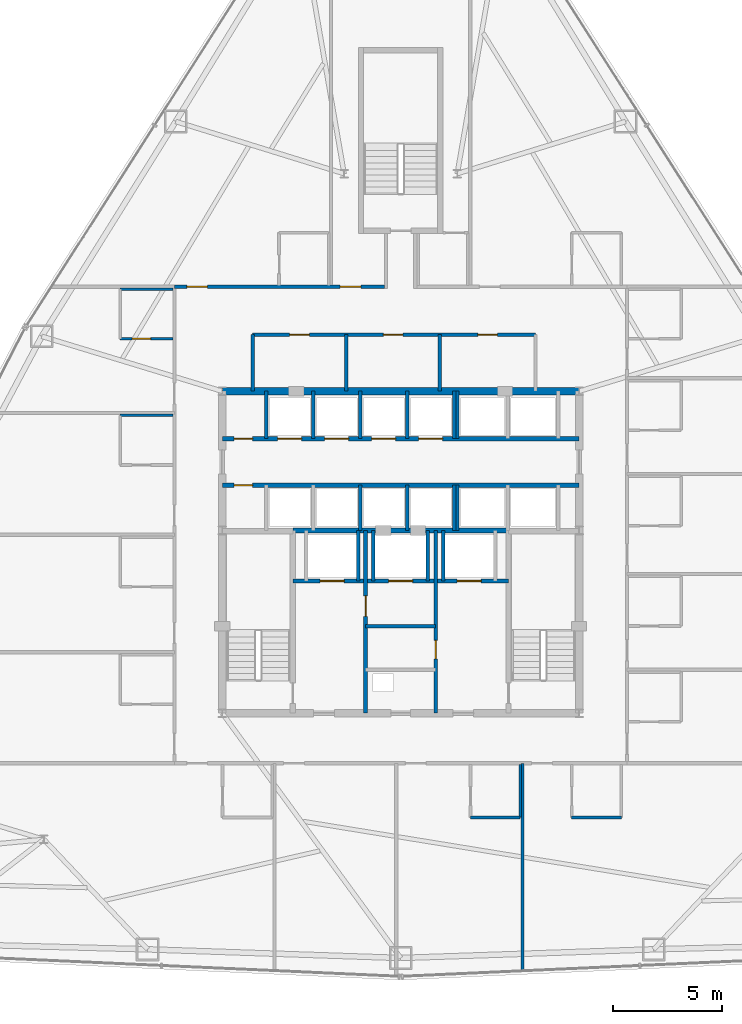
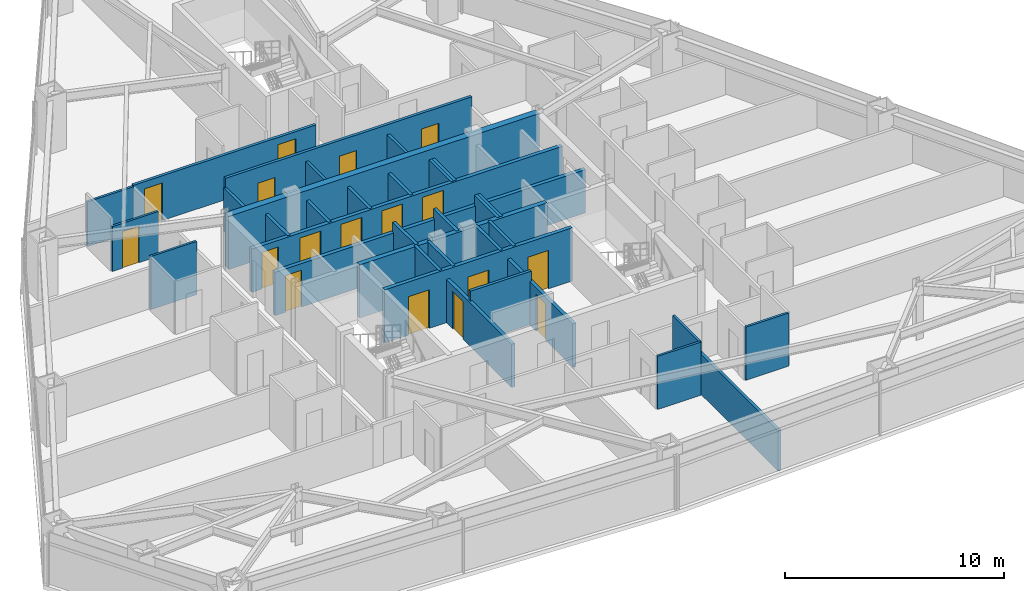
# One storey, part 10 of 13: 34 walls, 17 doors, 17 openings.
"""IFC4 building model written with IfcOpenShell, lengths in metres."""

from ifc_helpers import new_model, si_unit, direction, frame, frame_2d, origin, place, context, subcontext, project, spatial, rectangle, extrude, material, layer, layer_set, type_object, element, fill, save


model = new_model("IFC4")

# Units and contexts
model_context = context("Model", 3, precision=1e-05, world=origin(), true_north=direction((0.0, 1.0)))
body_context = subcontext(model_context, "Body", "Model", "MODEL_VIEW")
ifc_project = project(units=[si_unit("LENGTHUNIT", "METRE"), si_unit("AREAUNIT", "SQUARE_METRE"), si_unit("VOLUMEUNIT", "CUBIC_METRE"), si_unit("PLANEANGLEUNIT", "RADIAN"), si_unit("MASSUNIT", "GRAM", prefix="KILO")], contexts=[model_context])

# Site, building, storey
site_placement = place(None, origin())
site = spatial("IfcSite", under=ifc_project, at=site_placement, CompositionType="ELEMENT")
building_placement = place(site_placement, origin())
building = spatial("IfcBuilding", under=site, at=building_placement, Name="Varakhsha Concourse Tower", CompositionType="ELEMENT")
storey_placement = place(building_placement, frame((0.0, 0.0, 83.0)))
storey = spatial("IfcBuildingStorey", under=building, at=storey_placement, Name="L23", CompositionType="ELEMENT", Elevation=83.0)

# Wall
ifc_material_1 = material(Name="Concrete fc 65 MPa", Category="concrete")
ifc_layer_1 = layer(ifc_material_1, 0.35009765625, Name="WL-CORE-350")
ifc_layer_set_1 = layer_set([ifc_layer_1], Name="Concrete fc 65 MPa")
wall_type_1 = type_object("IfcWallType", Name="WL-CORE-350", PredefinedType="SHEAR", material=ifc_layer_set_1)
wall_1_placement = place(storey_placement, frame((31.800048828125, 31.199951171875, 0.0), z_axis=(0.0, 0.0, 1.0), x_axis=(1.0, 0.0, 0.0)))
element("IfcWall", 1, at=wall_1_placement, inside=storey, type_object=wall_type_1, Name="L23 Wall CWALL-N-L23", PredefinedType="SHEAR", context=body_context, shape_type="SweptSolid", body=[
    extrude(rectangle(XDim=16.39990234375, YDim=0.35009765625, at=frame_2d((8.199951171875, 0.0))), origin(), (0.0, 0.0, 1.0), 2.969970703125),
])

# Wall, opening, door
ifc_material_2 = material(Name="Fire-Rated Type X Gypsum Partition Assembly", Category="gypsum")
ifc_layer_2 = layer(ifc_material_2, 0.179931640625, Name="WL-FFLOB-180")
ifc_layer_set_2 = layer_set([ifc_layer_2], Name="Fire-Rated Type X Gypsum Partition Assembly")
wall_type_2 = type_object("IfcWallType", Name="WL-FFLOB-180", PredefinedType="PARTITIONING", material=ifc_layer_set_2)
wall_2_placement = place(storey_placement, frame((38.389892578125, 16.39990234375, 0.0), z_axis=(0.0, 0.0, 1.0), x_axis=(0.0, 1.0, 0.0)))
wall_2 = element("IfcWall", 2, at=wall_2_placement, inside=storey, type_object=wall_type_2, Name="L23 Wall FFW-1E-L23", PredefinedType="PARTITIONING", context=body_context, shape_type="SweptSolid", body=[
    extrude(rectangle(XDim=8.400146484375, YDim=0.179931640625, at=frame_2d((4.2001953125, 0.0))), origin(), (0.0, 0.0, 1.0), 2.4208984375),
])
opening_1_placement = place(wall_2_placement, frame((4.449951171875, 0.0, 0.0)))
opening_1 = element("IfcOpeningElement", 3, at=opening_1_placement, cuts=wall_2, Name="Opening DF-05", PredefinedType="OPENING", context=body_context, shape_type="SweptSolid", body=[
    extrude(rectangle(XDim=0.949951171875, YDim=2.10009765625, at=frame_2d((0.47509765625, 1.050048828125))), frame((0.0, 0.099853515625, 0.0), z_axis=(0.0, -1.0, 0.0), x_axis=(1.0, 0.0, 0.0)), (0.0, 0.0, 1.0), 0.199951171875),
])
ifc_material_3 = material(Name="Hollow Galvanised Steel Fire Door Assembly", Category="steel")
door_type_1 = type_object("IfcDoorType", Name="DR-FD60-950", OperationType="NOTDEFINED", PredefinedType="DOOR", material=ifc_material_3)
door_1_placement = place(opening_1_placement, origin())
door_1 = element("IfcDoor", 4, at=door_1_placement, inside=storey, type_object=door_type_1, Name="L23 Service Vestibule Door", OperationType="SINGLE_SWING_RIGHT", OverallHeight=2.10009765625, OverallWidth=0.949951171875, PredefinedType="DOOR", context=body_context, shape_type="SweptSolid", body=[
    extrude(rectangle(XDim=0.949951171875, YDim=2.10009765625, at=frame_2d((0.47509765625, 1.050048828125))), frame((0.0, 0.02490234375, 0.0), z_axis=(0.0, -1.0, 0.0), x_axis=(1.0, 0.0, 0.0)), (0.0, 0.0, 1.0), 0.050048828125),
])
fill(opening_1, door_1)

wall_3_placement = place(storey_placement, frame((41.610107421875, 16.39990234375, 0.0), z_axis=(0.0, 0.0, 1.0), x_axis=(0.0, 1.0, 0.0)))
wall_3 = element("IfcWall", 5, at=wall_3_placement, inside=storey, type_object=wall_type_2, Name="L23 Wall FFW-2W-L23", PredefinedType="PARTITIONING", context=body_context, shape_type="SweptSolid", body=[
    extrude(rectangle(XDim=8.400146484375, YDim=0.179931640625, at=frame_2d((4.2001953125, 0.0))), origin(), (0.0, 0.0, 1.0), 2.4208984375),
])
opening_2_placement = place(wall_3_placement, frame((2.5, 0.0, 0.0)))
opening_2 = element("IfcOpeningElement", 6, at=opening_2_placement, cuts=wall_3, Name="Opening DF-07", PredefinedType="OPENING", context=body_context, shape_type="SweptSolid", body=[
    extrude(rectangle(XDim=0.85009765625, YDim=2.050048828125, at=frame_2d((0.425048828125, 1.02490234375))), frame((0.0, 0.099853515625, 0.0), z_axis=(0.0, -1.0, 0.0), x_axis=(1.0, 0.0, 0.0)), (0.0, 0.0, 1.0), 0.199951171875),
])
door_type_2 = type_object("IfcDoorType", Name="DR-FD60-850", OperationType="NOTDEFINED", PredefinedType="DOOR", material=ifc_material_3)
door_2_placement = place(opening_2_placement, origin())
door_2 = element("IfcDoor", 7, at=door_2_placement, inside=storey, type_object=door_type_2, Name="L23 Telecoms Node Door", OperationType="SINGLE_SWING_LEFT", OverallHeight=2.050048828125, OverallWidth=0.85009765625, PredefinedType="DOOR", context=body_context, shape_type="SweptSolid", body=[
    extrude(rectangle(XDim=0.85009765625, YDim=2.050048828125, at=frame_2d((0.425048828125, 1.02490234375))), frame((0.0, 0.02490234375, 0.0), z_axis=(0.0, -1.0, 0.0), x_axis=(1.0, 0.0, 0.0)), (0.0, 0.0, 1.0), 0.050048828125),
])
fill(opening_2, door_2)

# Walls
ifc_material_4 = material(Name="Acoustic Gypsum Board Partition Assembly", Category="gypsum")
ifc_layer_3 = layer(ifc_material_4, 0.1201171875, Name="WL-PART-120")
ifc_layer_set_3 = layer_set([ifc_layer_3], Name="Acoustic Gypsum Board Partition Assembly")
wall_type_3 = type_object("IfcWallType", Name="WL-PART-120", PredefinedType="PARTITIONING", material=ifc_layer_set_3)
wall_4_placement = place(storey_placement, frame((45.489990234375, 11.610107421875, 0.0), z_axis=(0.0, 0.0, 1.0), x_axis=(0.0, 1.0, 0.0)))
element("IfcWall", 8, at=wall_4_placement, inside=storey, type_object=wall_type_3, Name="L23 Wall ENSW-E-L23-H03", PredefinedType="PARTITIONING", context=body_context, shape_type="SweptSolid", body=[
    extrude(rectangle(XDim=2.429931640625, YDim=0.1201171875, at=frame_2d((1.21484375, 0.0))), origin(), (0.0, 0.0, 1.0), 2.969970703125),
])
wall_5_placement = place(storey_placement, frame((43.2099609375, 11.610107421875, 0.0), z_axis=(0.0, 0.0, 1.0), x_axis=(1.0, 0.0, 0.0)))
element("IfcWall", 9, at=wall_5_placement, inside=storey, type_object=wall_type_3, Name="L23 Wall ENSW-S-L23-H03", PredefinedType="PARTITIONING", context=body_context, shape_type="SweptSolid", body=[
    extrude(rectangle(XDim=2.280029296875, YDim=0.1201171875, at=frame_2d((1.14013671875, 0.0))), origin(), (0.0, 0.0, 1.0), 2.969970703125),
])
wall_6_placement = place(storey_placement, frame((47.860107421875, 11.610107421875, 0.0), z_axis=(0.0, 0.0, 1.0), x_axis=(1.0, 0.0, 0.0)))
element("IfcWall", 10, at=wall_6_placement, inside=storey, type_object=wall_type_3, Name="L23 Wall ENSW-S-L23-H04", PredefinedType="PARTITIONING", context=body_context, shape_type="SweptSolid", body=[
    extrude(rectangle(XDim=2.27978515625, YDim=0.1201171875, at=frame_2d((1.139892578125, 0.0))), origin(), (0.0, 0.0, 1.0), 2.969970703125),
])
wall_7_placement = place(storey_placement, frame((27.110107421875, 30.090087890625, 0.0), z_axis=(0.0, 0.0, 1.0), x_axis=(1.0, 0.0, 0.0)))
element("IfcWall", 11, at=wall_7_placement, inside=storey, type_object=wall_type_3, Name="L23 Wall ENSW-N-L23-H07", PredefinedType="PARTITIONING", context=body_context, shape_type="SweptSolid", body=[
    extrude(rectangle(XDim=2.429931640625, YDim=0.1201171875, at=frame_2d((1.21484375, 0.0))), origin(), (0.0, 0.0, 1.0), 2.969970703125),
])

# Wall, opening, door
wall_8_placement = place(storey_placement, frame((27.110107421875, 33.610107421875, 0.0), z_axis=(0.0, 0.0, 1.0), x_axis=(1.0, 0.0, 0.0)))
wall_8 = element("IfcWall", 12, at=wall_8_placement, inside=storey, type_object=wall_type_3, Name="L23 Wall ENSW-S-L23-H08", PredefinedType="PARTITIONING", context=body_context, shape_type="SweptSolid", body=[
    extrude(rectangle(XDim=2.429931640625, YDim=0.1201171875, at=frame_2d((1.21484375, 0.0))), origin(), (0.0, 0.0, 1.0), 2.5029296875),
])
opening_3_placement = place(wall_8_placement, frame((0.550048828125, 0.0, 0.0)))
opening_3 = element("IfcOpeningElement", 13, at=opening_3_placement, cuts=wall_8, Name="Opening DI-01", PredefinedType="OPENING", context=body_context, shape_type="SweptSolid", body=[
    extrude(rectangle(XDim=0.85009765625, YDim=2.050048828125, at=frame_2d((0.425048828125, 1.02490234375))), frame((0.0, 0.070068359375, 0.0), z_axis=(0.0, -1.0, 0.0), x_axis=(1.0, 0.0, 0.0)), (0.0, 0.0, 1.0), 0.14013671875),
])
ifc_material_5 = material(Name="Architectural Walnut Acoustic Timber Door", Category="wood")
door_type_3 = type_object("IfcDoorType", Name="DR-INT-850", OperationType="NOTDEFINED", PredefinedType="DOOR", material=ifc_material_5)
door_3_placement = place(opening_3_placement, origin())
door_3 = element("IfcDoor", 14, at=door_3_placement, inside=storey, type_object=door_type_3, Name="L23 En-suite Bathroom Door L23-H08", OperationType="SINGLE_SWING_RIGHT", OverallHeight=2.050048828125, OverallWidth=0.85009765625, PredefinedType="DOOR", context=body_context, shape_type="SweptSolid", body=[
    extrude(rectangle(XDim=0.85009765625, YDim=2.050048828125, at=frame_2d((0.425048828125, 1.02490234375))), frame((0.0, 0.02490234375, 0.0), z_axis=(0.0, -1.0, 0.0), x_axis=(1.0, 0.0, 0.0)), (0.0, 0.0, 1.0), 0.050048828125),
])
fill(opening_3, door_3)

# Walls
wall_9_placement = place(storey_placement, frame((27.110107421875, 35.889892578125, 0.0), z_axis=(0.0, 0.0, 1.0), x_axis=(1.0, 0.0, 0.0)))
element("IfcWall", 15, at=wall_9_placement, inside=storey, type_object=wall_type_3, Name="L23 Wall ENSW-N-L23-H08", PredefinedType="PARTITIONING", context=body_context, shape_type="SweptSolid", body=[
    extrude(rectangle(XDim=2.429931640625, YDim=0.1201171875, at=frame_2d((1.21484375, 0.0))), origin(), (0.0, 0.0, 1.0), 2.5029296875),
])
ifc_layer_4 = layer(ifc_material_2, 0.14990234375, Name="WL-PART-150")
ifc_layer_set_4 = layer_set([ifc_layer_4], Name="Fire-Rated Type X Gypsum Partition Assembly")
wall_type_4 = type_object("IfcWallType", Name="WL-PART-150", PredefinedType="PARTITIONING", material=ifc_layer_set_4)
wall_10_placement = place(storey_placement, frame((38.389892578125, 20.39990234375, 0.0), z_axis=(0.0, 0.0, 1.0), x_axis=(1.0, 0.0, 0.0)))
element("IfcWall", 16, at=wall_10_placement, inside=storey, type_object=wall_type_4, Name="L23 Wall RSW-H2-L23", PredefinedType="PARTITIONING", context=body_context, shape_type="SweptSolid", body=[
    extrude(rectangle(XDim=3.22021484375, YDim=0.14990234375, at=frame_2d((1.610107421875, 0.0))), origin(), (0.0, 0.0, 1.0), 2.969970703125),
])

# Wall, openings, doors
wall_11_placement = place(storey_placement, frame((33.199951171875, 33.800048828125, 0.0), z_axis=(0.0, 0.0, 1.0), x_axis=(1.0, 0.0, 0.0)))
wall_11 = element("IfcWall", 17, at=wall_11_placement, inside=storey, type_object=wall_type_4, Name="L23 Wall NBOH-N-L23", PredefinedType="PARTITIONING", context=body_context, shape_type="SweptSolid", body=[
    extrude(rectangle(XDim=13.0, YDim=0.14990234375, at=frame_2d((6.5, 0.0))), origin(), (0.0, 0.0, 1.0), 2.969970703125),
])
opening_4_placement = place(wall_11_placement, frame((1.699951171875, 0.0, 0.0)))
opening_4 = element("IfcOpeningElement", 18, at=opening_4_placement, cuts=wall_11, Name="Opening DF-06", PredefinedType="OPENING", context=body_context, shape_type="SweptSolid", body=[
    extrude(rectangle(XDim=0.89990234375, YDim=2.10009765625, at=frame_2d((0.449951171875, 1.050048828125))), frame((0.0, 0.0849609375, 0.0), z_axis=(0.0, -1.0, 0.0), x_axis=(1.0, 0.0, 0.0)), (0.0, 0.0, 1.0), 0.169921875),
])
opening_5_placement = place(wall_11_placement, frame((6.0, 0.0, 0.0)))
opening_5 = element("IfcOpeningElement", 19, at=opening_5_placement, cuts=wall_11, Name="Opening DF-06", PredefinedType="OPENING", context=body_context, shape_type="SweptSolid", body=[
    extrude(rectangle(XDim=0.89990234375, YDim=2.10009765625, at=frame_2d((0.449951171875, 1.050048828125))), frame((0.0, 0.0849609375, 0.0), z_axis=(0.0, -1.0, 0.0), x_axis=(1.0, 0.0, 0.0)), (0.0, 0.0, 1.0), 0.169921875),
])
opening_6_placement = place(wall_11_placement, frame((10.35009765625, 0.0, 0.0)))
opening_6 = element("IfcOpeningElement", 20, at=opening_6_placement, cuts=wall_11, Name="Opening DF-06", PredefinedType="OPENING", context=body_context, shape_type="SweptSolid", body=[
    extrude(rectangle(XDim=0.89990234375, YDim=2.10009765625, at=frame_2d((0.449951171875, 1.050048828125))), frame((0.0, 0.0849609375, 0.0), z_axis=(0.0, -1.0, 0.0), x_axis=(1.0, 0.0, 0.0)), (0.0, 0.0, 1.0), 0.169921875),
])
door_type_4 = type_object("IfcDoorType", Name="DR-FD60-900", OperationType="NOTDEFINED", PredefinedType="DOOR", material=ifc_material_3)
door_4_placement = place(opening_4_placement, origin())
door_4 = element("IfcDoor", 21, at=door_4_placement, inside=storey, type_object=door_type_4, Name="L23 Housekeeping and Linen Room Door", OperationType="SINGLE_SWING_LEFT", OverallHeight=2.10009765625, OverallWidth=0.89990234375, PredefinedType="DOOR", context=body_context, shape_type="SweptSolid", body=[
    extrude(rectangle(XDim=0.89990234375, YDim=2.10009765625, at=frame_2d((0.449951171875, 1.050048828125))), frame((0.0, 0.02490234375, 0.0), z_axis=(0.0, -1.0, 0.0), x_axis=(1.0, 0.0, 0.0)), (0.0, 0.0, 1.0), 0.050048828125),
])
fill(opening_4, door_4)
door_5_placement = place(opening_5_placement, origin())
door_5 = element("IfcDoor", 22, at=door_5_placement, inside=storey, type_object=door_type_4, Name="L23 Accessible WC Door", OperationType="SINGLE_SWING_RIGHT", OverallHeight=2.10009765625, OverallWidth=0.89990234375, PredefinedType="DOOR", context=body_context, shape_type="SweptSolid", body=[
    extrude(rectangle(XDim=0.89990234375, YDim=2.10009765625, at=frame_2d((0.449951171875, 1.050048828125))), frame((0.0, 0.02490234375, 0.0), z_axis=(0.0, -1.0, 0.0), x_axis=(1.0, 0.0, 0.0)), (0.0, 0.0, 1.0), 0.050048828125),
])
fill(opening_5, door_5)
door_6_placement = place(opening_6_placement, origin())
door_6 = element("IfcDoor", 23, at=door_6_placement, inside=storey, type_object=door_type_4, Name="L23 Staff Restroom WC Door", OperationType="SINGLE_SWING_LEFT", OverallHeight=2.10009765625, OverallWidth=0.89990234375, PredefinedType="DOOR", context=body_context, shape_type="SweptSolid", body=[
    extrude(rectangle(XDim=0.89990234375, YDim=2.10009765625, at=frame_2d((0.449951171875, 1.050048828125))), frame((0.0, 0.02490234375, 0.0), z_axis=(0.0, -1.0, 0.0), x_axis=(1.0, 0.0, 0.0)), (0.0, 0.0, 1.0), 0.050048828125),
])
fill(opening_6, door_6)

# Walls
for number, where, z_axis, x_axis, name in (
    (24, (33.199951171875, 31.199951171875, 0.0), (0.0, 0.0, 1.0), (0.0, 1.0, 0.0), "L23 Wall NBOH-W-L23"),
    (25, (37.5, 31.199951171875, 0.0), (0.0, 0.0, 1.0), (0.0, 1.0, 0.0), "L23 Wall NBOH-D1-L23"),
    (26, (41.800048828125, 31.199951171875, 0.0), (0.0, 0.0, 1.0), (0.0, 1.0, 0.0), "L23 Wall NBOH-D2-L23"),
):
    element("IfcWall", number, at=place(storey_placement, frame(where, z_axis=z_axis, x_axis=x_axis)), inside=storey, type_object=wall_type_4, Name=name, PredefinedType="PARTITIONING", context=body_context, shape_type="SweptSolid", body=[
        extrude(rectangle(XDim=2.60009765625, YDim=0.14990234375, at=frame_2d((1.300048828125, 0.0))), origin(), (0.0, 0.0, 1.0), 2.4208984375),
    ])

# Wall, openings, doors
wall_12_placement = place(storey_placement, frame((29.60009765625, 36.0, 0.0), z_axis=(0.0, 0.0, 1.0), x_axis=(1.0, 0.0, 0.0)))
wall_12 = element("IfcWall", 27, at=wall_12_placement, inside=storey, type_object=wall_type_4, Name="L23 Wall CRW-N-L23", PredefinedType="PARTITIONING", context=body_context, shape_type="SweptSolid", body=[
    extrude(rectangle(XDim=9.64990234375, YDim=0.14990234375, at=frame_2d((4.824951171875, 0.0))), origin(), (0.0, 0.0, 1.0), 2.5029296875),
])
opening_7_placement = place(wall_12_placement, frame((0.570068359375, 0.0, 0.0)))
opening_7 = element("IfcOpeningElement", 28, at=opening_7_placement, cuts=wall_12, Name="Opening DF-05", PredefinedType="OPENING", context=body_context, shape_type="SweptSolid", body=[
    extrude(rectangle(XDim=0.949951171875, YDim=2.10009765625, at=frame_2d((0.47509765625, 1.050048828125))), frame((0.0, 0.0849609375, 0.0), z_axis=(0.0, -1.0, 0.0), x_axis=(1.0, 0.0, 0.0)), (0.0, 0.0, 1.0), 0.169921875),
])
opening_8_placement = place(wall_12_placement, frame((7.6201171875, 0.0, 0.0)))
opening_8 = element("IfcOpeningElement", 29, at=opening_8_placement, cuts=wall_12, Name="Opening DF-05", PredefinedType="OPENING", context=body_context, shape_type="SweptSolid", body=[
    extrude(rectangle(XDim=0.949951171875, YDim=2.10009765625, at=frame_2d((0.47509765625, 1.050048828125))), frame((0.0, 0.0849609375, 0.0), z_axis=(0.0, -1.0, 0.0), x_axis=(1.0, 0.0, 0.0)), (0.0, 0.0, 1.0), 0.169921875),
])
door_7_placement = place(opening_7_placement, origin())
door_7 = element("IfcDoor", 30, at=door_7_placement, inside=storey, type_object=door_type_1, Name="L23 Hotel Corner Suite L23-H14 Entry Door", OperationType="SINGLE_SWING_RIGHT", OverallHeight=2.10009765625, OverallWidth=0.949951171875, PredefinedType="DOOR", context=body_context, shape_type="SweptSolid", body=[
    extrude(rectangle(XDim=0.949951171875, YDim=2.10009765625, at=frame_2d((0.47509765625, 1.050048828125))), frame((0.0, 0.02490234375, 0.0), z_axis=(0.0, -1.0, 0.0), x_axis=(1.0, 0.0, 0.0)), (0.0, 0.0, 1.0), 0.050048828125),
])
fill(opening_7, door_7)
door_8_placement = place(opening_8_placement, origin())
door_8 = element("IfcDoor", 31, at=door_8_placement, inside=storey, type_object=door_type_1, Name="L23 Hotel Corner Suite L23-H15 Entry Door", OperationType="SINGLE_SWING_LEFT", OverallHeight=2.10009765625, OverallWidth=0.949951171875, PredefinedType="DOOR", context=body_context, shape_type="SweptSolid", body=[
    extrude(rectangle(XDim=0.949951171875, YDim=2.10009765625, at=frame_2d((0.47509765625, 1.050048828125))), frame((0.0, 0.02490234375, 0.0), z_axis=(0.0, -1.0, 0.0), x_axis=(1.0, 0.0, 0.0)), (0.0, 0.0, 1.0), 0.050048828125),
])
fill(opening_8, door_8)

# Wall
wall_13_placement = place(storey_placement, frame((45.60009765625, 4.559326171875, 0.0), z_axis=(0.0, 0.0, 1.0), x_axis=(0.0, 1.0, 0.0)))
element("IfcWall", 32, at=wall_13_placement, inside=storey, type_object=wall_type_4, Name="L23 Wall HDIV-S3-L23", PredefinedType="PARTITIONING", context=body_context, shape_type="SweptSolid", body=[
    extrude(rectangle(XDim=9.540771484375, YDim=0.14990234375, at=frame_2d((4.7705078125, 0.0))), origin(), (0.0, 0.0, 1.0), 2.258056640625),
])

# Wall, openings, doors
ifc_layer_5 = layer(ifc_material_2, 0.199951171875, Name="WL-SHAFT-220")
ifc_layer_set_5 = layer_set([ifc_layer_5], Name="Fire-Rated Type X Gypsum Partition Assembly")
wall_type_5 = type_object("IfcWallType", Name="WL-SHAFT-220", PredefinedType="SOLIDWALL", material=ifc_layer_set_5)
wall_14_placement = place(storey_placement, frame((35.044921875, 22.47998046875, 0.0), z_axis=(0.0, 0.0, 1.0), x_axis=(1.0, 0.0, 0.0)))
wall_14 = element("IfcWall", 33, at=wall_14_placement, inside=storey, type_object=wall_type_5, Name="L23 Wall FFW-NH-L23", PredefinedType="SOLIDWALL", context=body_context, shape_type="SweptSolid", body=[
    extrude(rectangle(XDim=9.91015625, YDim=0.199951171875, at=frame_2d((4.955078125, 0.0))), origin(), (0.0, 0.0, 1.0), 2.969970703125),
])
opening_9_placement = place(wall_14_placement, frame((1.2548828125, 0.0, 0.0)))
opening_9 = element("IfcOpeningElement", 34, at=opening_9_placement, cuts=wall_14, Name="Opening LD-FFL-1", PredefinedType="OPENING", context=body_context, shape_type="SweptSolid", body=[
    extrude(rectangle(XDim=1.10009765625, YDim=2.14990234375, at=frame_2d((0.550048828125, 1.074951171875))), frame((0.0, 0.10986328125, 0.0), z_axis=(0.0, -1.0, 0.0), x_axis=(1.0, 0.0, 0.0)), (0.0, 0.0, 1.0), 0.219970703125),
])
opening_10_placement = place(wall_14_placement, frame((7.554931640625, 0.0, 0.0)))
opening_10 = element("IfcOpeningElement", 35, at=opening_10_placement, cuts=wall_14, Name="Opening LD-FFL-2", PredefinedType="OPENING", context=body_context, shape_type="SweptSolid", body=[
    extrude(rectangle(XDim=1.10009765625, YDim=2.14990234375, at=frame_2d((0.550048828125, 1.074951171875))), frame((0.0, 0.10986328125, 0.0), z_axis=(0.0, -1.0, 0.0), x_axis=(1.0, 0.0, 0.0)), (0.0, 0.0, 1.0), 0.219970703125),
])
opening_11_placement = place(wall_14_placement, frame((4.405029296875, 0.0, 0.0)))
opening_11 = element("IfcOpeningElement", 36, at=opening_11_placement, cuts=wall_14, Name="Opening LD-SVL-1", PredefinedType="OPENING", context=body_context, shape_type="SweptSolid", body=[
    extrude(rectangle(XDim=1.10009765625, YDim=2.14990234375, at=frame_2d((0.550048828125, 1.074951171875))), frame((0.0, 0.10986328125, 0.0), z_axis=(0.0, -1.0, 0.0), x_axis=(1.0, 0.0, 0.0)), (0.0, 0.0, 1.0), 0.219970703125),
])
ifc_material_6 = material(Name="Brushed Austenitic Stainless Steel AISI 316", Category="steel")
door_type_5 = type_object("IfcDoorType", Name="DR-LD-1100", OperationType="DOUBLE_DOOR_SLIDING", PredefinedType="DOOR", material=ifc_material_6)
door_9_placement = place(opening_9_placement, origin())
door_9 = element("IfcDoor", 37, at=door_9_placement, inside=storey, type_object=door_type_5, Name="Lift Landing Door FFL-1 L23", OperationType="DOUBLE_DOOR_SLIDING", OverallHeight=2.14990234375, OverallWidth=1.10009765625, PredefinedType="DOOR", context=body_context, shape_type="SweptSolid", body=[
    extrude(rectangle(XDim=1.10009765625, YDim=2.14990234375, at=frame_2d((0.550048828125, 1.074951171875))), frame((0.0, 0.02490234375, 0.0), z_axis=(0.0, -1.0, 0.0), x_axis=(1.0, 0.0, 0.0)), (0.0, 0.0, 1.0), 0.050048828125),
])
fill(opening_9, door_9)
door_10_placement = place(opening_10_placement, origin())
door_10 = element("IfcDoor", 38, at=door_10_placement, inside=storey, type_object=door_type_5, Name="Lift Landing Door FFL-2 L23", OperationType="DOUBLE_DOOR_SLIDING", OverallHeight=2.14990234375, OverallWidth=1.10009765625, PredefinedType="DOOR", context=body_context, shape_type="SweptSolid", body=[
    extrude(rectangle(XDim=1.10009765625, YDim=2.14990234375, at=frame_2d((0.550048828125, 1.074951171875))), frame((0.0, 0.02490234375, 0.0), z_axis=(0.0, -1.0, 0.0), x_axis=(1.0, 0.0, 0.0)), (0.0, 0.0, 1.0), 0.050048828125),
])
fill(opening_10, door_10)
door_11_placement = place(opening_11_placement, origin())
door_11 = element("IfcDoor", 39, at=door_11_placement, inside=storey, type_object=door_type_5, Name="Lift Landing Door SVL-1 L23", OperationType="DOUBLE_DOOR_SLIDING", OverallHeight=2.14990234375, OverallWidth=1.10009765625, PredefinedType="DOOR", context=body_context, shape_type="SweptSolid", body=[
    extrude(rectangle(XDim=1.10009765625, YDim=2.14990234375, at=frame_2d((0.550048828125, 1.074951171875))), frame((0.0, 0.02490234375, 0.0), z_axis=(0.0, -1.0, 0.0), x_axis=(1.0, 0.0, 0.0)), (0.0, 0.0, 1.0), 0.050048828125),
])
fill(opening_11, door_11)

# Walls
for number, where, z_axis, x_axis, name in (
    (40, (38.050048828125, 22.47998046875, 0.0), (0.0, 0.0, 1.0), (0.0, 1.0, 0.0), "L23 Wall SHW-FFL-1-E-L23"),
    (41, (41.949951171875, 22.47998046875, 0.0), (0.0, 0.0, 1.0), (0.0, 1.0, 0.0), "L23 Wall SHW-FFL-2-W-L23"),
    (42, (38.75, 22.47998046875, 0.0), (0.0, 0.0, 1.0), (0.0, 1.0, 0.0), "L23 Wall SHW-SVL-1-W-L23"),
    (43, (41.25, 22.47998046875, 0.0), (0.0, 0.0, 1.0), (0.0, 1.0, 0.0), "L23 Wall SHW-SVL-1-E-L23"),
):
    element("IfcWall", number, at=place(storey_placement, frame(where, z_axis=z_axis, x_axis=x_axis)), inside=storey, type_object=wall_type_5, Name=name, PredefinedType="SOLIDWALL", context=body_context, shape_type="SweptSolid", body=[
        extrude(rectangle(XDim=2.320068359375, YDim=0.159912109375, at=frame_2d((1.16015625, 0.0))), origin(), (0.0, 0.0, 1.0), 2.969970703125),
    ])

# Wall, openings, doors
wall_15_placement = place(storey_placement, frame((31.800048828125, 29.02001953125, 0.0), z_axis=(0.0, 0.0, 1.0), x_axis=(1.0, 0.0, 0.0)))
wall_15 = element("IfcWall", 44, at=wall_15_placement, inside=storey, type_object=wall_type_5, Name="L23 Wall PLW-N-L23", PredefinedType="SOLIDWALL", context=body_context, shape_type="SweptSolid", body=[
    extrude(rectangle(XDim=16.39990234375, YDim=0.199951171875, at=frame_2d((8.199951171875, 0.0))), origin(), (0.0, 0.0, 1.0), 2.4208984375),
])
opening_12_placement = place(wall_15_placement, frame((0.550048828125, 0.0, 0.0)))
opening_12 = element("IfcOpeningElement", 45, at=opening_12_placement, cuts=wall_15, Name="Opening DF-07", PredefinedType="OPENING", context=body_context, shape_type="SweptSolid", body=[
    extrude(rectangle(XDim=0.85009765625, YDim=2.050048828125, at=frame_2d((0.425048828125, 1.02490234375))), frame((0.0, 0.10986328125, 0.0), z_axis=(0.0, -1.0, 0.0), x_axis=(1.0, 0.0, 0.0)), (0.0, 0.0, 1.0), 0.219970703125),
])
opening_13_placement = place(wall_15_placement, frame((2.550048828125, 0.0, 0.0)))
opening_13 = element("IfcOpeningElement", 46, at=opening_13_placement, cuts=wall_15, Name="Opening LD-LF-P01", PredefinedType="OPENING", context=body_context, shape_type="SweptSolid", body=[
    extrude(rectangle(XDim=1.10009765625, YDim=2.14990234375, at=frame_2d((0.550048828125, 1.074951171875))), frame((0.0, 0.10986328125, 0.0), z_axis=(0.0, -1.0, 0.0), x_axis=(1.0, 0.0, 0.0)), (0.0, 0.0, 1.0), 0.219970703125),
])
opening_14_placement = place(wall_15_placement, frame((4.7099609375, 0.0, 0.0)))
opening_14 = element("IfcOpeningElement", 47, at=opening_14_placement, cuts=wall_15, Name="Opening LD-LF-P02", PredefinedType="OPENING", context=body_context, shape_type="SweptSolid", body=[
    extrude(rectangle(XDim=1.10009765625, YDim=2.14990234375, at=frame_2d((0.550048828125, 1.074951171875))), frame((0.0, 0.10986328125, 0.0), z_axis=(0.0, -1.0, 0.0), x_axis=(1.0, 0.0, 0.0)), (0.0, 0.0, 1.0), 0.219970703125),
])
opening_15_placement = place(wall_15_placement, frame((6.8701171875, 0.0, 0.0)))
opening_15 = element("IfcOpeningElement", 48, at=opening_15_placement, cuts=wall_15, Name="Opening LD-LF-P03", PredefinedType="OPENING", context=body_context, shape_type="SweptSolid", body=[
    extrude(rectangle(XDim=1.10009765625, YDim=2.14990234375, at=frame_2d((0.550048828125, 1.074951171875))), frame((0.0, 0.10986328125, 0.0), z_axis=(0.0, -1.0, 0.0), x_axis=(1.0, 0.0, 0.0)), (0.0, 0.0, 1.0), 0.219970703125),
])
opening_16_placement = place(wall_15_placement, frame((9.030029296875, 0.0, 0.0)))
opening_16 = element("IfcOpeningElement", 49, at=opening_16_placement, cuts=wall_15, Name="Opening LD-LF-P04", PredefinedType="OPENING", context=body_context, shape_type="SweptSolid", body=[
    extrude(rectangle(XDim=1.10009765625, YDim=2.14990234375, at=frame_2d((0.550048828125, 1.074951171875))), frame((0.0, 0.10986328125, 0.0), z_axis=(0.0, -1.0, 0.0), x_axis=(1.0, 0.0, 0.0)), (0.0, 0.0, 1.0), 0.219970703125),
])
door_12_placement = place(opening_12_placement, origin())
door_12 = element("IfcDoor", 50, at=door_12_placement, inside=storey, type_object=door_type_2, Name="L23 Core Janitor Closet Door", OperationType="SINGLE_SWING_LEFT", OverallHeight=2.050048828125, OverallWidth=0.85009765625, PredefinedType="DOOR", context=body_context, shape_type="SweptSolid", body=[
    extrude(rectangle(XDim=0.85009765625, YDim=2.050048828125, at=frame_2d((0.425048828125, 1.02490234375))), frame((0.0, 0.02490234375, 0.0), z_axis=(0.0, -1.0, 0.0), x_axis=(1.0, 0.0, 0.0)), (0.0, 0.0, 1.0), 0.050048828125),
])
fill(opening_12, door_12)
door_13_placement = place(opening_13_placement, origin())
door_13 = element("IfcDoor", 51, at=door_13_placement, inside=storey, type_object=door_type_5, Name="Lift Landing Door LF-P01 L23", OperationType="DOUBLE_DOOR_SLIDING", OverallHeight=2.14990234375, OverallWidth=1.10009765625, PredefinedType="DOOR", context=body_context, shape_type="SweptSolid", body=[
    extrude(rectangle(XDim=1.10009765625, YDim=2.14990234375, at=frame_2d((0.550048828125, 1.074951171875))), frame((0.0, 0.02490234375, 0.0), z_axis=(0.0, -1.0, 0.0), x_axis=(1.0, 0.0, 0.0)), (0.0, 0.0, 1.0), 0.050048828125),
])
fill(opening_13, door_13)
door_14_placement = place(opening_14_placement, origin())
door_14 = element("IfcDoor", 52, at=door_14_placement, inside=storey, type_object=door_type_5, Name="Lift Landing Door LF-P02 L23", OperationType="DOUBLE_DOOR_SLIDING", OverallHeight=2.14990234375, OverallWidth=1.10009765625, PredefinedType="DOOR", context=body_context, shape_type="SweptSolid", body=[
    extrude(rectangle(XDim=1.10009765625, YDim=2.14990234375, at=frame_2d((0.550048828125, 1.074951171875))), frame((0.0, 0.02490234375, 0.0), z_axis=(0.0, -1.0, 0.0), x_axis=(1.0, 0.0, 0.0)), (0.0, 0.0, 1.0), 0.050048828125),
])
fill(opening_14, door_14)
door_15_placement = place(opening_15_placement, origin())
door_15 = element("IfcDoor", 53, at=door_15_placement, inside=storey, type_object=door_type_5, Name="Lift Landing Door LF-P03 L23", OperationType="DOUBLE_DOOR_SLIDING", OverallHeight=2.14990234375, OverallWidth=1.10009765625, PredefinedType="DOOR", context=body_context, shape_type="SweptSolid", body=[
    extrude(rectangle(XDim=1.10009765625, YDim=2.14990234375, at=frame_2d((0.550048828125, 1.074951171875))), frame((0.0, 0.02490234375, 0.0), z_axis=(0.0, -1.0, 0.0), x_axis=(1.0, 0.0, 0.0)), (0.0, 0.0, 1.0), 0.050048828125),
])
fill(opening_15, door_15)
door_16_placement = place(opening_16_placement, origin())
door_16 = element("IfcDoor", 54, at=door_16_placement, inside=storey, type_object=door_type_5, Name="Lift Landing Door LF-P04 L23", OperationType="DOUBLE_DOOR_SLIDING", OverallHeight=2.14990234375, OverallWidth=1.10009765625, PredefinedType="DOOR", context=body_context, shape_type="SweptSolid", body=[
    extrude(rectangle(XDim=1.10009765625, YDim=2.14990234375, at=frame_2d((0.550048828125, 1.074951171875))), frame((0.0, 0.02490234375, 0.0), z_axis=(0.0, -1.0, 0.0), x_axis=(1.0, 0.0, 0.0)), (0.0, 0.0, 1.0), 0.050048828125),
])
fill(opening_16, door_16)

# Wall, opening, door
wall_16_placement = place(storey_placement, frame((31.800048828125, 26.8798828125, 0.0), z_axis=(0.0, 0.0, 1.0), x_axis=(1.0, 0.0, 0.0)))
wall_16 = element("IfcWall", 55, at=wall_16_placement, inside=storey, type_object=wall_type_5, Name="L23 Wall PLW-S-L23", PredefinedType="SOLIDWALL", context=body_context, shape_type="SweptSolid", body=[
    extrude(rectangle(XDim=16.39990234375, YDim=0.199951171875, at=frame_2d((8.199951171875, 0.0))), origin(), (0.0, 0.0, 1.0), 2.4208984375),
])
opening_17_placement = place(wall_16_placement, frame((0.550048828125, 0.0, 0.0)))
opening_17 = element("IfcOpeningElement", 56, at=opening_17_placement, cuts=wall_16, Name="Opening DF-07", PredefinedType="OPENING", context=body_context, shape_type="SweptSolid", body=[
    extrude(rectangle(XDim=0.85009765625, YDim=2.050048828125, at=frame_2d((0.425048828125, 1.02490234375))), frame((0.0, 0.10986328125, 0.0), z_axis=(0.0, -1.0, 0.0), x_axis=(1.0, 0.0, 0.0)), (0.0, 0.0, 1.0), 0.219970703125),
])
door_17_placement = place(opening_17_placement, origin())
door_17 = element("IfcDoor", 57, at=door_17_placement, inside=storey, type_object=door_type_2, Name="L23 Core Telecoms Closet Door", OperationType="SINGLE_SWING_RIGHT", OverallHeight=2.050048828125, OverallWidth=0.85009765625, PredefinedType="DOOR", context=body_context, shape_type="SweptSolid", body=[
    extrude(rectangle(XDim=0.85009765625, YDim=2.050048828125, at=frame_2d((0.425048828125, 1.02490234375))), frame((0.0, 0.02490234375, 0.0), z_axis=(0.0, -1.0, 0.0), x_axis=(1.0, 0.0, 0.0)), (0.0, 0.0, 1.0), 0.050048828125),
])
fill(opening_17, door_17)

# Walls
for number, where, z_axis, x_axis, name in (
    (58, (33.820068359375, 29.02001953125, 0.0), (0.0, 0.0, 1.0), (0.0, 1.0, 0.0), "L23 Wall WBOH-E1-L23"),
    (59, (35.97998046875, 29.02001953125, 0.0), (0.0, 0.0, 1.0), (0.0, 1.0, 0.0), "L23 Wall SHW-LF-P01-E-L23"),
    (60, (38.139892578125, 29.02001953125, 0.0), (0.0, 0.0, 1.0), (0.0, 1.0, 0.0), "L23 Wall SHW-LF-P02-E-L23"),
    (61, (40.300048828125, 29.02001953125, 0.0), (0.0, 0.0, 1.0), (0.0, 1.0, 0.0), "L23 Wall SHW-LF-P03-E-L23"),
    (62, (42.4599609375, 29.02001953125, 0.0), (0.0, 0.0, 1.0), (0.0, 1.0, 0.0), "L23 Wall SHW-LF-P04-E-L23"),
):
    element("IfcWall", number, at=place(storey_placement, frame(where, z_axis=z_axis, x_axis=x_axis)), inside=storey, type_object=wall_type_5, Name=name, PredefinedType="SOLIDWALL", context=body_context, shape_type="SweptSolid", body=[
        extrude(rectangle(XDim=2.179931640625, YDim=0.159912109375, at=frame_2d((1.08984375, 0.0))), origin(), (0.0, 0.0, 1.0), 2.4208984375),
    ])
for number, where, z_axis, x_axis, name in (
    (63, (38.139892578125, 24.800048828125, 0.0), (0.0, 0.0, 1.0), (0.0, 1.0, 0.0), "L23 Wall SHW-LF-P06-E-L23"),
    (64, (40.300048828125, 24.800048828125, 0.0), (0.0, 0.0, 1.0), (0.0, 1.0, 0.0), "L23 Wall SHW-LF-P07-E-L23"),
    (65, (42.4599609375, 24.800048828125, 0.0), (0.0, 0.0, 1.0), (0.0, 1.0, 0.0), "L23 Wall SHW-LF-P08-E-L23"),
):
    element("IfcWall", number, at=place(storey_placement, frame(where, z_axis=z_axis, x_axis=x_axis)), inside=storey, type_object=wall_type_5, Name=name, PredefinedType="SOLIDWALL", context=body_context, shape_type="SweptSolid", body=[
        extrude(rectangle(XDim=2.079833984375, YDim=0.159912109375, at=frame_2d((1.0400390625, 0.0))), origin(), (0.0, 0.0, 1.0), 2.969970703125),
    ])
wall_17_placement = place(storey_placement, frame((42.60009765625, 29.02001953125, 0.0), z_axis=(0.0, 0.0, 1.0), x_axis=(0.0, 1.0, 0.0)))
element("IfcWall", 66, at=wall_17_placement, inside=storey, type_object=wall_type_5, Name="L23 Wall SHW-LF-P09-W-L23", PredefinedType="SOLIDWALL", context=body_context, shape_type="SweptSolid", body=[
    extrude(rectangle(XDim=2.179931640625, YDim=0.159912109375, at=frame_2d((1.08984375, 0.0))), origin(), (0.0, 0.0, 1.0), 2.4208984375),
])
wall_18_placement = place(storey_placement, frame((42.60009765625, 24.800048828125, 0.0), z_axis=(0.0, 0.0, 1.0), x_axis=(0.0, 1.0, 0.0)))
element("IfcWall", 67, at=wall_18_placement, inside=storey, type_object=wall_type_5, Name="L23 Wall SHW-LF-P11-W-L23", PredefinedType="SOLIDWALL", context=body_context, shape_type="SweptSolid", body=[
    extrude(rectangle(XDim=2.079833984375, YDim=0.159912109375, at=frame_2d((1.0400390625, 0.0))), origin(), (0.0, 0.0, 1.0), 2.969970703125),
])
ifc_material_7 = material(Name="Concrete fc 45 MPa", Category="concrete")
ifc_layer_6 = layer(ifc_material_7, 0.25, Name="WL-STAIR-250")
ifc_layer_set_6 = layer_set([ifc_layer_6], Name="Concrete fc 45 MPa")
wall_type_6 = type_object("IfcWallType", Name="WL-STAIR-250", PredefinedType="SHEAR", material=ifc_layer_set_6)
wall_19_placement = place(storey_placement, frame((35.044921875, 24.800048828125, 0.0), z_axis=(0.0, 0.0, 1.0), x_axis=(1.0, 0.0, 0.0)))
element("IfcWall", 68, at=wall_19_placement, inside=storey, type_object=wall_type_6, Name="L23 Wall SWALL-MID-H-L23", PredefinedType="SHEAR", context=body_context, shape_type="SweptSolid", body=[
    extrude(rectangle(XDim=9.91015625, YDim=0.25, at=frame_2d((4.955078125, 0.0))), origin(), (0.0, 0.0, 1.0), 2.969970703125),
])

save(model, "model.ifc")
